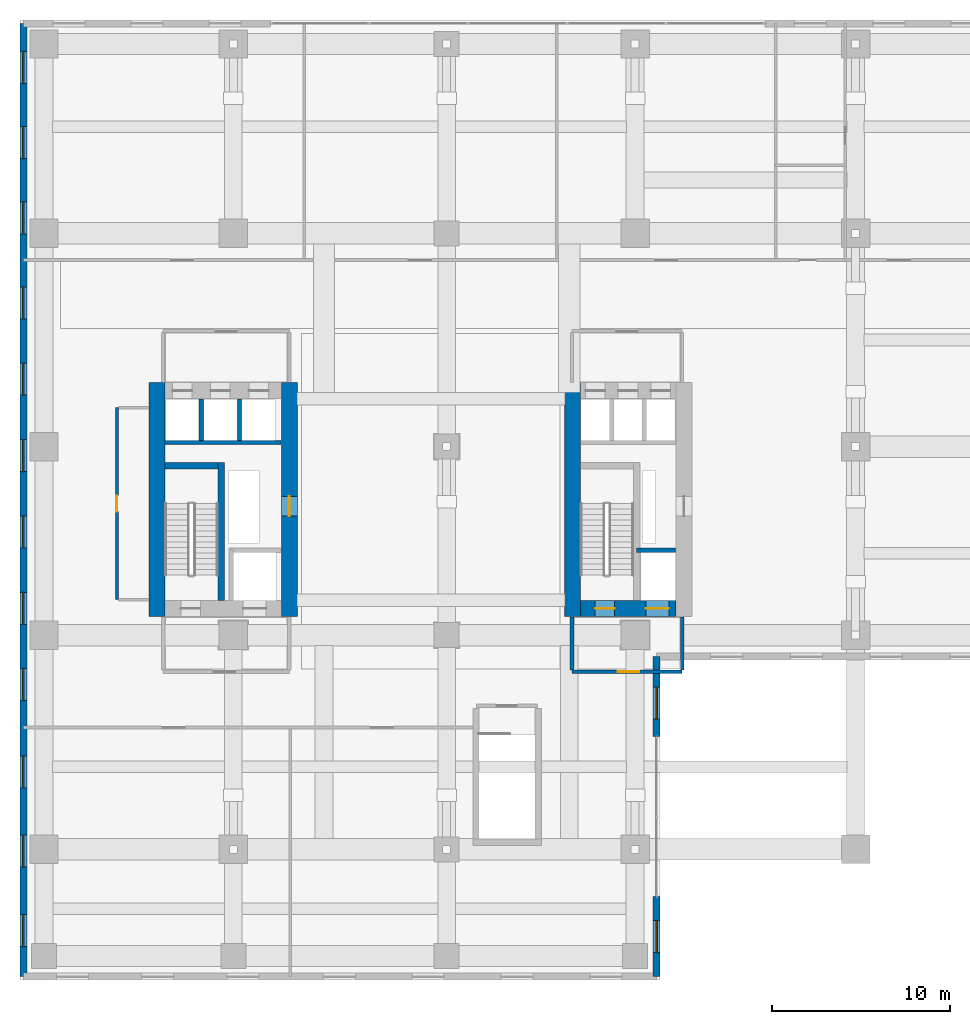
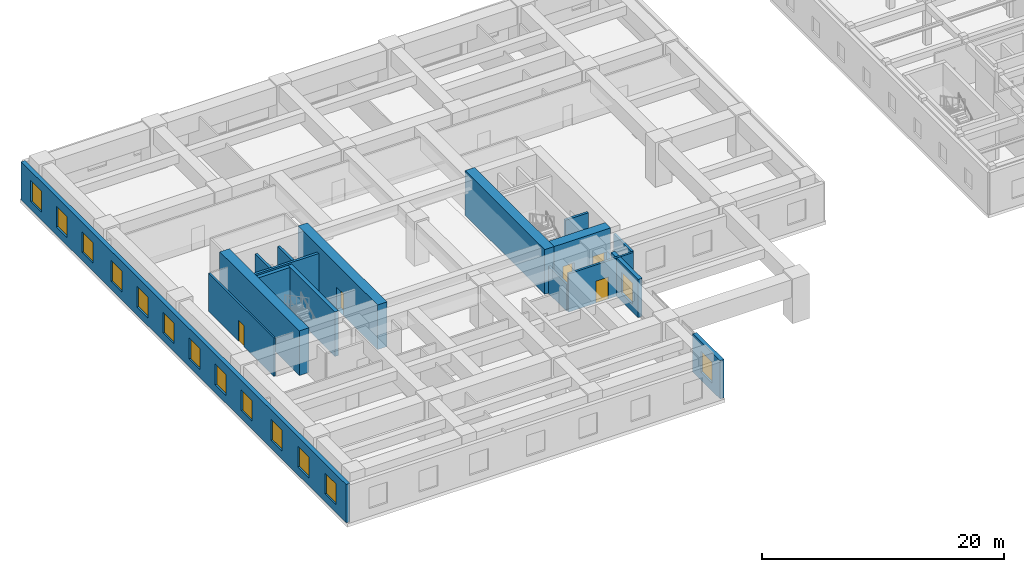
# One storey, part 25 of 33: 17 walls, 14 windows, 5 doors, 19 openings.
"""IFC4 building model written with IfcOpenShell, lengths in metres."""

from ifc_helpers import new_model, si_unit, direction, frame, frame_2d, origin, place, context, subcontext, project, spatial, rectangle, extrude, source, transform, mapped, material, layer, layer_set, type_object, element, fill, save


model = new_model("IFC4")

# Units and contexts
model_context = context("Model", 3, precision=1e-05, world=origin(), true_north=direction((0.0, 1.0)))
body_context = subcontext(model_context, "Body", "Model", "MODEL_VIEW")
ifc_project = project(units=[si_unit("LENGTHUNIT", "METRE"), si_unit("AREAUNIT", "SQUARE_METRE"), si_unit("VOLUMEUNIT", "CUBIC_METRE"), si_unit("PLANEANGLEUNIT", "RADIAN"), si_unit("MASSUNIT", "GRAM", prefix="KILO")], contexts=[model_context])

# Site, building, storey
site_placement = place(None, origin())
site = spatial("IfcSite", under=ifc_project, at=site_placement, CompositionType="ELEMENT")
building_placement = place(site_placement, origin())
building = spatial("IfcBuilding", under=site, at=building_placement, Name="Khoralis Quay Care Tower", CompositionType="ELEMENT")
storey_placement = place(building_placement, frame((0.0, 0.0, 18.0)))
storey = spatial("IfcBuildingStorey", under=building, at=storey_placement, Name="L04", CompositionType="ELEMENT", Elevation=18.0)

# Wall, opening, door
ifc_material_1 = material(Name="Gypsum plasterboard on acoustic metal stud")
ifc_layer_1 = layer(ifc_material_1, 0.199951171875)
ifc_layer_set_1 = layer_set([ifc_layer_1], Name="Gypsum plasterboard on acoustic metal stud")
wall_type_1 = type_object("IfcWallType", Name="WL-COMP-200", PredefinedType="PARTITIONING", material=ifc_layer_set_1)
wall_1_placement = place(storey_placement, frame((31.050048828125, 11.35009765625, 0.0), z_axis=(0.0, 0.0, 1.0), x_axis=(1.0, 0.0, 0.0)))
wall_1 = element("IfcWall", 1, at=wall_1_placement, inside=storey, type_object=wall_type_1, Name="L04 East Firefighting Lobby South Wall", PredefinedType="PARTITIONING", context=body_context, shape_type="SweptSolid", body=[
    extrude(rectangle(XDim=6.199951171875, YDim=0.199951171875, at=frame_2d((3.10009765625, 0.0))), origin(), (0.0, 0.0, 1.0), 3.85009765625),
])
opening_1_placement = place(wall_1_placement, frame((2.585693359375, 0.0, 0.0)))
opening_1 = element("IfcOpeningElement", 2, at=opening_1_placement, cuts=wall_1, Name="Opening FD1", PredefinedType="OPENING", context=body_context, shape_type="SweptSolid", body=[
    extrude(rectangle(XDim=1.199951171875, YDim=2.199951171875, at=frame_2d((0.60009765625, 1.10009765625))), frame((0.0, 0.10986328125, 0.0), z_axis=(0.0, -1.0, 0.0), x_axis=(1.0, 0.0, 0.0)), (0.0, 0.0, 1.0), 0.219970703125),
])
ifc_material_2 = material(Name="Fire-rated painted steel", Category="steel")
door_type_1 = type_object("IfcDoorType", Name="DR-FFL-1200X2200", OperationType="NOTDEFINED", PredefinedType="DOOR", material=ifc_material_2)
shared_shape_1 = source(origin(), body_context, "Body", "SweptSolid", [
    extrude(rectangle(XDim=1.199951171875, YDim=2.199951171875, at=frame_2d((0.60009765625, 1.10009765625))), frame((0.0, 0.02490234375, 0.0), z_axis=(0.0, -1.0, 0.0), x_axis=(1.0, 0.0, 0.0)), (0.0, 0.0, 1.0), 0.050048828125),
])
door_1_placement = place(opening_1_placement, origin())
door_1 = element("IfcDoor", 3, at=door_1_placement, inside=storey, type_object=door_type_1, Name="L04 East Firefighting Lobby Fire Door", OperationType="SINGLE_SWING_LEFT", OverallHeight=2.199951171875, OverallWidth=1.199951171875, PredefinedType="DOOR", context=body_context, shape_type="MappedRepresentation", body=[
    mapped(shared_shape_1, transform((0.0, 0.0, 0.0), scale=1.0)),
])
fill(opening_1, door_1)

# Walls
wall_2_placement = place(storey_placement, frame((31.050048828125, 11.445068359375, 0.0), z_axis=(0.0, 0.0, 1.0), x_axis=(0.0, 1.0, 0.0)))
element("IfcWall", 4, at=wall_2_placement, inside=storey, type_object=wall_type_1, Name="L04 East Firefighting Lobby West Wall", PredefinedType="PARTITIONING", context=body_context, shape_type="SweptSolid", body=[
    extrude(rectangle(XDim=2.98486328125, YDim=0.199951171875, at=frame_2d((1.492431640625, 0.0))), origin(), (0.0, 0.0, 1.0), 2.719970703125),
])
wall_3_placement = place(storey_placement, frame((37.25, 11.445068359375, 0.0), z_axis=(0.0, 0.0, 1.0), x_axis=(0.0, 1.0, 0.0)))
element("IfcWall", 5, at=wall_3_placement, inside=storey, type_object=wall_type_1, Name="L04 East Firefighting Lobby East Wall", PredefinedType="PARTITIONING", context=body_context, shape_type="SweptSolid", body=[
    extrude(rectangle(XDim=2.98486328125, YDim=0.199951171875, at=frame_2d((1.492431640625, 0.0))), origin(), (0.0, 0.0, 1.0), 3.85009765625),
])
ifc_material_3 = material(Name="Concrete C80/95", Category="concrete")
ifc_layer_2 = layer(ifc_material_3, 0.89990234375)
ifc_layer_set_2 = layer_set([ifc_layer_2], Name="Concrete C80/95")
wall_type_2 = type_object("IfcWallType", Name="WL-CORE-900", PredefinedType="SHEAR", material=ifc_layer_set_2)
wall_4_placement = place(storey_placement, frame((7.699951171875, 14.449951171875, 0.0), z_axis=(0.0, 0.0, 1.0), x_axis=(0.0, 1.0, 0.0)))
element("IfcWall", 6, at=wall_4_placement, inside=storey, type_object=wall_type_2, Name="L04 WCORE West Shear Wall", PredefinedType="SHEAR", context=body_context, shape_type="SweptSolid", body=[
    extrude(rectangle(XDim=13.150146484375, YDim=0.89990234375, at=frame_2d((6.5751953125, 0.0))), origin(), (0.0, 0.0, 1.0), 4.5),
])

# Wall, opening, door
wall_5_placement = place(storey_placement, frame((15.14990234375, 14.449951171875, 0.0), z_axis=(0.0, 0.0, 1.0), x_axis=(0.0, 1.0, 0.0)))
wall_5 = element("IfcWall", 7, at=wall_5_placement, inside=storey, type_object=wall_type_2, Name="L04 WCORE East Shear Wall", PredefinedType="SHEAR", context=body_context, shape_type="SweptSolid", body=[
    extrude(rectangle(XDim=13.150146484375, YDim=0.89990234375, at=frame_2d((6.5751953125, 0.0))), origin(), (0.0, 0.0, 1.0), 4.5),
])
opening_2_placement = place(wall_5_placement, frame((5.64990234375, 0.0, 0.0)))
opening_2 = element("IfcOpeningElement", 8, at=opening_2_placement, cuts=wall_5, Name="Opening SD1", PredefinedType="OPENING", context=body_context, shape_type="SweptSolid", body=[
    extrude(rectangle(XDim=1.10009765625, YDim=2.199951171875, at=frame_2d((0.550048828125, 1.10009765625))), frame((0.0, 0.4599609375, 0.0), z_axis=(0.0, -1.0, 0.0), x_axis=(1.0, 0.0, 0.0)), (0.0, 0.0, 1.0), 0.919921875),
])
door_type_2 = type_object("IfcDoorType", Name="DR-STAIR-1100X2200", OperationType="NOTDEFINED", PredefinedType="DOOR", material=ifc_material_2)
shared_shape_2 = source(origin(), body_context, "Body", "SweptSolid", [
    extrude(rectangle(XDim=1.10009765625, YDim=2.199951171875, at=frame_2d((0.550048828125, 1.10009765625))), frame((0.0, 0.02490234375, 0.0), z_axis=(0.0, -1.0, 0.0), x_axis=(1.0, 0.0, 0.0)), (0.0, 0.0, 1.0), 0.050048828125),
])
door_2_placement = place(opening_2_placement, origin())
door_2 = element("IfcDoor", 9, at=door_2_placement, inside=storey, type_object=door_type_2, Name="L04 West MEP Riser Door", OperationType="SINGLE_SWING_RIGHT", OverallHeight=2.199951171875, OverallWidth=1.10009765625, PredefinedType="DOOR", context=body_context, shape_type="MappedRepresentation", body=[
    mapped(shared_shape_2, transform((0.0, 0.0, 0.0), scale=1.0)),
])
fill(opening_2, door_2)

# Wall
wall_6_placement = place(storey_placement, frame((31.070068359375, 14.449951171875, 0.0), z_axis=(0.0, 0.0, 1.0), x_axis=(0.0, 1.0, 0.0)))
element("IfcWall", 10, at=wall_6_placement, inside=storey, type_object=wall_type_2, Name="L04 ECORE West Shear Wall", PredefinedType="SHEAR", context=body_context, shape_type="SweptSolid", body=[
    extrude(rectangle(XDim=13.150146484375, YDim=0.89990234375, at=frame_2d((6.5751953125, 0.0))), origin(), (0.0, 0.0, 1.0), 4.5),
])

# Wall, openings, doors
wall_7_placement = place(storey_placement, frame((31.52001953125, 14.89990234375, 0.0), z_axis=(0.0, 0.0, 1.0), x_axis=(1.0, 0.0, 0.0)))
wall_7 = element("IfcWall", 11, at=wall_7_placement, inside=storey, type_object=wall_type_2, Name="L04 ECORE South Shear Wall", PredefinedType="SHEAR", context=body_context, shape_type="SweptSolid", body=[
    extrude(rectangle(XDim=5.3798828125, YDim=0.89990234375, at=frame_2d((2.68994140625, 0.0))), origin(), (0.0, 0.0, 1.0), 4.5),
])
opening_3_placement = place(wall_7_placement, frame((0.830078125, 0.0, 0.0)))
opening_3 = element("IfcOpeningElement", 12, at=opening_3_placement, cuts=wall_7, Name="Opening SD1", PredefinedType="OPENING", context=body_context, shape_type="SweptSolid", body=[
    extrude(rectangle(XDim=1.10009765625, YDim=2.199951171875, at=frame_2d((0.550048828125, 1.10009765625))), frame((0.0, 0.4599609375, 0.0), z_axis=(0.0, -1.0, 0.0), x_axis=(1.0, 0.0, 0.0)), (0.0, 0.0, 1.0), 0.919921875),
])
opening_4_placement = place(wall_7_placement, frame((3.679931640625, 0.0, 0.0)))
opening_4 = element("IfcOpeningElement", 13, at=opening_4_placement, cuts=wall_7, Name="Opening LD2", PredefinedType="OPENING", context=body_context, shape_type="SweptSolid", body=[
    extrude(rectangle(XDim=1.300048828125, YDim=2.199951171875, at=frame_2d((0.64990234375, 1.10009765625))), frame((0.0, 0.4599609375, 0.0), z_axis=(0.0, -1.0, 0.0), x_axis=(1.0, 0.0, 0.0)), (0.0, 0.0, 1.0), 0.919921875),
])
door_3_placement = place(opening_3_placement, origin())
door_3 = element("IfcDoor", 14, at=door_3_placement, inside=storey, type_object=door_type_2, Name="L04 Stair ST-T2 Fire Door", OperationType="SINGLE_SWING_LEFT", OverallHeight=2.199951171875, OverallWidth=1.10009765625, PredefinedType="DOOR", context=body_context, shape_type="MappedRepresentation", body=[
    mapped(shared_shape_2, transform((0.0, 0.0, 0.0), scale=1.0)),
])
fill(opening_3, door_3)
ifc_material_4 = material(Name="Brushed stainless steel", Category="steel")
door_type_3 = type_object("IfcDoorType", Name="DR-LIFT-1300X2200", OperationType="SLIDING_TO_RIGHT", PredefinedType="DOOR", material=ifc_material_4)
shared_shape_3 = source(origin(), body_context, "Body", "SweptSolid", [
    extrude(rectangle(XDim=1.300048828125, YDim=2.199951171875, at=frame_2d((0.64990234375, 1.10009765625))), frame((0.0, 0.02490234375, 0.0), z_axis=(0.0, -1.0, 0.0), x_axis=(1.0, 0.0, 0.0)), (0.0, 0.0, 1.0), 0.050048828125),
])
door_4_placement = place(opening_4_placement, origin())
door_4 = element("IfcDoor", 15, at=door_4_placement, inside=storey, type_object=door_type_3, Name="L04 Firefighting Lift FFL-2 Landing Door", OperationType="SLIDING_TO_RIGHT", OverallHeight=2.199951171875, OverallWidth=1.300048828125, PredefinedType="DOOR", context=body_context, shape_type="MappedRepresentation", body=[
    mapped(shared_shape_3, transform((0.0, 0.0, 0.0), scale=1.0)),
])
fill(opening_4, door_4)

# Wall, opening, door
ifc_layer_3 = layer(ifc_material_1, 0.1650390625)
ifc_layer_set_3 = layer_set([ifc_layer_3], Name="Gypsum plasterboard on acoustic metal stud")
wall_type_3 = type_object("IfcWallType", Name="WL-CORR-165", PredefinedType="PARTITIONING", material=ifc_layer_set_3)
wall_8_placement = place(storey_placement, frame((5.449951171875, 15.39990234375, 0.0), z_axis=(0.0, 0.0, 1.0), x_axis=(0.0, 1.0, 0.0)))
wall_8 = element("IfcWall", 16, at=wall_8_placement, inside=storey, type_object=wall_type_3, Name="L04 West Core Service Flank Wall", PredefinedType="PARTITIONING", context=body_context, shape_type="SweptSolid", body=[
    extrude(rectangle(XDim=10.800048828125, YDim=0.1650390625, at=frame_2d((5.39990234375, 0.0))), origin(), (0.0, 0.0, 1.0), 3.85009765625),
])
opening_5_placement = place(wall_8_placement, frame((4.949951171875, 0.0, 0.0)))
opening_5 = element("IfcOpeningElement", 17, at=opening_5_placement, cuts=wall_8, Name="Opening WD1", PredefinedType="OPENING", context=body_context, shape_type="SweptSolid", body=[
    extrude(rectangle(XDim=0.89990234375, YDim=2.10009765625, at=frame_2d((0.449951171875, 1.050048828125))), frame((0.0, 0.092529296875, 0.0), z_axis=(0.0, -1.0, 0.0), x_axis=(1.0, 0.0, 0.0)), (0.0, 0.0, 1.0), 0.18505859375),
])
ifc_material_5 = material(Name="Acoustic hardwood timber", Category="wood")
door_type_4 = type_object("IfcDoorType", Name="DR-BATH-900X2100", OperationType="NOTDEFINED", PredefinedType="DOOR", material=ifc_material_5)
shared_shape_4 = source(origin(), body_context, "Body", "SweptSolid", [
    extrude(rectangle(XDim=0.89990234375, YDim=2.10009765625, at=frame_2d((0.449951171875, 1.050048828125))), frame((0.0, 0.02490234375, 0.0), z_axis=(0.0, -1.0, 0.0), x_axis=(1.0, 0.0, 0.0)), (0.0, 0.0, 1.0), 0.050048828125),
])
door_5_placement = place(opening_5_placement, frame((0.89990234375, 0.0, 0.0), z_axis=(0.0, 0.0, 1.0), x_axis=(-1.0, 0.0, 0.0)))
door_5 = element("IfcDoor", 18, at=door_5_placement, inside=storey, type_object=door_type_4, Name="L04 Housekeeping & Public Accessible WC Door", OperationType="SINGLE_SWING_LEFT", OverallHeight=2.10009765625, OverallWidth=0.89990234375, PredefinedType="DOOR", context=body_context, shape_type="MappedRepresentation", body=[
    mapped(shared_shape_4, transform((0.0, 0.0, 0.0), scale=1.0)),
])
fill(opening_5, door_5)

# Wall, opening, window
ifc_material_6 = material(Name="Precast concrete C45/55", Category="concrete")
ifc_layer_4 = layer(ifc_material_6, 0.3798828125)
ifc_layer_set_4 = layer_set([ifc_layer_4], Name="Precast concrete C45/55")
wall_type_4 = type_object("IfcWallType", Name="WL-EXT-POD-380", PredefinedType="SOLIDWALL", material=ifc_layer_set_4)
wall_9_placement = place(storey_placement, frame((35.81005859375, -5.81005859375, 0.0), z_axis=(0.0, 0.0, 1.0), x_axis=(0.0, 1.0, 0.0)))
wall_9 = element("IfcWall", 19, at=wall_9_placement, inside=storey, type_object=wall_type_4, Name="L04 External Facade Wall WL-POD-L04-E1A", PredefinedType="SOLIDWALL", context=body_context, shape_type="SweptSolid", body=[
    extrude(rectangle(XDim=4.5, YDim=0.3798828125, at=frame_2d((2.25, 0.0))), origin(), (0.0, 0.0, 1.0), 3.85009765625),
])
opening_6_placement = place(wall_9_placement, frame((1.35009765625, 0.0, 0.800048828125)))
opening_6 = element("IfcOpeningElement", 20, at=opening_6_placement, cuts=wall_9, Name="Opening W2", PredefinedType="OPENING", context=body_context, shape_type="SweptSolid", body=[
    extrude(rectangle(XDim=1.800048828125, YDim=2.10009765625, at=frame_2d((0.89990234375, 1.050048828125))), frame((0.0, 0.199951171875, 0.0), z_axis=(0.0, -1.0, 0.0), x_axis=(1.0, 0.0, 0.0)), (0.0, 0.0, 1.0), 0.39990234375),
])
ifc_material_7 = material(Name="Low-E solar-control double glazing", Category="glass")
window_type = type_object("IfcWindowType", Name="WN-POD-1800X2100", PartitioningType="SINGLE_PANEL", PredefinedType="WINDOW", material=ifc_material_7)
shared_shape_5 = source(origin(), body_context, "Body", "SweptSolid", [
    extrude(rectangle(XDim=1.800048828125, YDim=2.10009765625, at=frame_2d((0.89990234375, 1.050048828125))), frame((0.0, 0.030029296875, 0.0), z_axis=(0.0, -1.0, 0.0), x_axis=(1.0, 0.0, 0.0)), (0.0, 0.0, 1.0), 0.06005859375),
])
window_1_placement = place(opening_6_placement, origin())
window_1 = element("IfcWindow", 21, at=window_1_placement, inside=storey, type_object=window_type, Name="WN-POD-L04-1A Facade Window 01", OverallHeight=2.10009765625, OverallWidth=1.800048828125, PartitioningType="SINGLE_PANEL", PredefinedType="WINDOW", context=body_context, shape_type="MappedRepresentation", body=[
    mapped(shared_shape_5, transform((0.0, 0.0, 0.0), scale=1.0)),
])
fill(opening_6, window_1)

wall_10_placement = place(storey_placement, frame((35.81005859375, 7.68994140625, 0.0), z_axis=(0.0, 0.0, 1.0), x_axis=(0.0, 1.0, 0.0)))
wall_10 = element("IfcWall", 22, at=wall_10_placement, inside=storey, type_object=wall_type_4, Name="L04 External Facade Wall WL-POD-L04-E1B", PredefinedType="SOLIDWALL", context=body_context, shape_type="SweptSolid", body=[
    extrude(rectangle(XDim=4.5, YDim=0.3798828125, at=frame_2d((2.25, 0.0))), origin(), (0.0, 0.0, 1.0), 3.85009765625),
])
opening_7_placement = place(wall_10_placement, frame((0.97998046875, 0.0, 0.800048828125)))
opening_7 = element("IfcOpeningElement", 23, at=opening_7_placement, cuts=wall_10, Name="Opening W2", PredefinedType="OPENING", context=body_context, shape_type="SweptSolid", body=[
    extrude(rectangle(XDim=1.800048828125, YDim=2.10009765625, at=frame_2d((0.89990234375, 1.050048828125))), frame((0.0, 0.199951171875, 0.0), z_axis=(0.0, -1.0, 0.0), x_axis=(1.0, 0.0, 0.0)), (0.0, 0.0, 1.0), 0.39990234375),
])
window_2_placement = place(opening_7_placement, origin())
window_2 = element("IfcWindow", 24, at=window_2_placement, inside=storey, type_object=window_type, Name="WN-POD-L04-1B Facade Window 01", OverallHeight=2.10009765625, OverallWidth=1.800048828125, PartitioningType="SINGLE_PANEL", PredefinedType="WINDOW", context=body_context, shape_type="MappedRepresentation", body=[
    mapped(shared_shape_5, transform((0.0, 0.0, 0.0), scale=1.0)),
])
fill(opening_7, window_2)

# Wall, openings, windows
wall_11_placement = place(storey_placement, frame((0.18994140625, 47.81005859375, 0.0), z_axis=(0.0, 0.0, 1.0), x_axis=(0.0, -1.0, 0.0)))
wall_11 = element("IfcWall", 25, at=wall_11_placement, inside=storey, type_object=wall_type_4, Name="L04 External Facade Wall WL-POD-L04-E5", PredefinedType="SOLIDWALL", context=body_context, shape_type="SweptSolid", body=[
    extrude(rectangle(XDim=53.6201171875, YDim=0.3798828125, at=frame_2d((26.81005859375, 0.0))), origin(), (0.0, 0.0, 1.0), 3.85009765625),
])
opening_8_placement = place(wall_11_placement, frame((1.574951171875, 0.0, 0.800048828125)))
opening_8 = element("IfcOpeningElement", 26, at=opening_8_placement, cuts=wall_11, Name="Opening W2", PredefinedType="OPENING", context=body_context, shape_type="SweptSolid", body=[
    extrude(rectangle(XDim=1.800048828125, YDim=2.10009765625, at=frame_2d((0.89990234375, 1.050048828125))), frame((0.0, 0.199951171875, 0.0), z_axis=(0.0, -1.0, 0.0), x_axis=(1.0, 0.0, 0.0)), (0.0, 0.0, 1.0), 0.39990234375),
])
opening_9_placement = place(wall_11_placement, frame((5.804931640625, 0.0, 0.800048828125)))
opening_9 = element("IfcOpeningElement", 27, at=opening_9_placement, cuts=wall_11, Name="Opening W2", PredefinedType="OPENING", context=body_context, shape_type="SweptSolid", body=[
    extrude(rectangle(XDim=1.800048828125, YDim=2.10009765625, at=frame_2d((0.89990234375, 1.050048828125))), frame((0.0, 0.199951171875, 0.0), z_axis=(0.0, -1.0, 0.0), x_axis=(1.0, 0.0, 0.0)), (0.0, 0.0, 1.0), 0.39990234375),
])
opening_10_placement = place(wall_11_placement, frame((10.034912109375, 0.0, 0.800048828125)))
opening_10 = element("IfcOpeningElement", 28, at=opening_10_placement, cuts=wall_11, Name="Opening W2", PredefinedType="OPENING", context=body_context, shape_type="SweptSolid", body=[
    extrude(rectangle(XDim=1.800048828125, YDim=2.10009765625, at=frame_2d((0.89990234375, 1.050048828125))), frame((0.0, 0.199951171875, 0.0), z_axis=(0.0, -1.0, 0.0), x_axis=(1.0, 0.0, 0.0)), (0.0, 0.0, 1.0), 0.39990234375),
])
opening_11_placement = place(wall_11_placement, frame((14.818359375, 0.0, 0.800048828125)))
opening_11 = element("IfcOpeningElement", 29, at=opening_11_placement, cuts=wall_11, Name="Opening W2", PredefinedType="OPENING", context=body_context, shape_type="SweptSolid", body=[
    extrude(rectangle(XDim=1.800048828125, YDim=2.10009765625, at=frame_2d((0.89990234375, 1.050048828125))), frame((0.0, 0.199951171875, 0.0), z_axis=(0.0, -1.0, 0.0), x_axis=(1.0, 0.0, 0.0)), (0.0, 0.0, 1.0), 0.39990234375),
])
opening_12_placement = place(wall_11_placement, frame((19.114990234375, 0.0, 0.800048828125)))
opening_12 = element("IfcOpeningElement", 30, at=opening_12_placement, cuts=wall_11, Name="Opening W2", PredefinedType="OPENING", context=body_context, shape_type="SweptSolid", body=[
    extrude(rectangle(XDim=1.800048828125, YDim=2.10009765625, at=frame_2d((0.89990234375, 1.050048828125))), frame((0.0, 0.199951171875, 0.0), z_axis=(0.0, -1.0, 0.0), x_axis=(1.0, 0.0, 0.0)), (0.0, 0.0, 1.0), 0.39990234375),
])
opening_13_placement = place(wall_11_placement, frame((23.41162109375, 0.0, 0.800048828125)))
opening_13 = element("IfcOpeningElement", 31, at=opening_13_placement, cuts=wall_11, Name="Opening W2", PredefinedType="OPENING", context=body_context, shape_type="SweptSolid", body=[
    extrude(rectangle(XDim=1.800048828125, YDim=2.10009765625, at=frame_2d((0.89990234375, 1.050048828125))), frame((0.0, 0.199951171875, 0.0), z_axis=(0.0, -1.0, 0.0), x_axis=(1.0, 0.0, 0.0)), (0.0, 0.0, 1.0), 0.39990234375),
])
opening_14_placement = place(wall_11_placement, frame((27.708251953125, 0.0, 0.800048828125)))
opening_14 = element("IfcOpeningElement", 32, at=opening_14_placement, cuts=wall_11, Name="Opening W2", PredefinedType="OPENING", context=body_context, shape_type="SweptSolid", body=[
    extrude(rectangle(XDim=1.800048828125, YDim=2.10009765625, at=frame_2d((0.89990234375, 1.050048828125))), frame((0.0, 0.199951171875, 0.0), z_axis=(0.0, -1.0, 0.0), x_axis=(1.0, 0.0, 0.0)), (0.0, 0.0, 1.0), 0.39990234375),
])
opening_15_placement = place(wall_11_placement, frame((32.0048828125, 0.0, 0.800048828125)))
opening_15 = element("IfcOpeningElement", 33, at=opening_15_placement, cuts=wall_11, Name="Opening W2", PredefinedType="OPENING", context=body_context, shape_type="SweptSolid", body=[
    extrude(rectangle(XDim=1.800048828125, YDim=2.10009765625, at=frame_2d((0.89990234375, 1.050048828125))), frame((0.0, 0.199951171875, 0.0), z_axis=(0.0, -1.0, 0.0), x_axis=(1.0, 0.0, 0.0)), (0.0, 0.0, 1.0), 0.39990234375),
])
opening_16_placement = place(wall_11_placement, frame((36.3017578125, 0.0, 0.800048828125)))
opening_16 = element("IfcOpeningElement", 34, at=opening_16_placement, cuts=wall_11, Name="Opening W2", PredefinedType="OPENING", context=body_context, shape_type="SweptSolid", body=[
    extrude(rectangle(XDim=1.800048828125, YDim=2.10009765625, at=frame_2d((0.89990234375, 1.050048828125))), frame((0.0, 0.199951171875, 0.0), z_axis=(0.0, -1.0, 0.0), x_axis=(1.0, 0.0, 0.0)), (0.0, 0.0, 1.0), 0.39990234375),
])
opening_17_placement = place(wall_11_placement, frame((41.20166015625, 0.0, 0.800048828125)))
opening_17 = element("IfcOpeningElement", 35, at=opening_17_placement, cuts=wall_11, Name="Opening W2", PredefinedType="OPENING", context=body_context, shape_type="SweptSolid", body=[
    extrude(rectangle(XDim=1.800048828125, YDim=2.10009765625, at=frame_2d((0.89990234375, 1.050048828125))), frame((0.0, 0.199951171875, 0.0), z_axis=(0.0, -1.0, 0.0), x_axis=(1.0, 0.0, 0.0)), (0.0, 0.0, 1.0), 0.39990234375),
])
opening_18_placement = place(wall_11_placement, frame((45.6650390625, 0.0, 0.800048828125)))
opening_18 = element("IfcOpeningElement", 36, at=opening_18_placement, cuts=wall_11, Name="Opening W2", PredefinedType="OPENING", context=body_context, shape_type="SweptSolid", body=[
    extrude(rectangle(XDim=1.800048828125, YDim=2.10009765625, at=frame_2d((0.89990234375, 1.050048828125))), frame((0.0, 0.199951171875, 0.0), z_axis=(0.0, -1.0, 0.0), x_axis=(1.0, 0.0, 0.0)), (0.0, 0.0, 1.0), 0.39990234375),
])
opening_19_placement = place(wall_11_placement, frame((50.12841796875, 0.0, 0.800048828125)))
opening_19 = element("IfcOpeningElement", 37, at=opening_19_placement, cuts=wall_11, Name="Opening W2", PredefinedType="OPENING", context=body_context, shape_type="SweptSolid", body=[
    extrude(rectangle(XDim=1.800048828125, YDim=2.10009765625, at=frame_2d((0.89990234375, 1.050048828125))), frame((0.0, 0.199951171875, 0.0), z_axis=(0.0, -1.0, 0.0), x_axis=(1.0, 0.0, 0.0)), (0.0, 0.0, 1.0), 0.39990234375),
])
window_3_placement = place(opening_8_placement, origin())
window_3 = element("IfcWindow", 38, at=window_3_placement, inside=storey, type_object=window_type, Name="WN-POD-L04-E5 Facade Window 01", OverallHeight=2.10009765625, OverallWidth=1.800048828125, PartitioningType="SINGLE_PANEL", PredefinedType="WINDOW", context=body_context, shape_type="MappedRepresentation", body=[
    mapped(shared_shape_5, transform((0.0, 0.0, 0.0), scale=1.0)),
])
fill(opening_8, window_3)
window_4_placement = place(opening_9_placement, origin())
window_4 = element("IfcWindow", 39, at=window_4_placement, inside=storey, type_object=window_type, Name="WN-POD-L04-E5 Facade Window 02", OverallHeight=2.10009765625, OverallWidth=1.800048828125, PartitioningType="SINGLE_PANEL", PredefinedType="WINDOW", context=body_context, shape_type="MappedRepresentation", body=[
    mapped(shared_shape_5, transform((0.0, 0.0, 0.0), scale=1.0)),
])
fill(opening_9, window_4)
window_5_placement = place(opening_10_placement, origin())
window_5 = element("IfcWindow", 40, at=window_5_placement, inside=storey, type_object=window_type, Name="WN-POD-L04-E5 Facade Window 03", OverallHeight=2.10009765625, OverallWidth=1.800048828125, PartitioningType="SINGLE_PANEL", PredefinedType="WINDOW", context=body_context, shape_type="MappedRepresentation", body=[
    mapped(shared_shape_5, transform((0.0, 0.0, 0.0), scale=1.0)),
])
fill(opening_10, window_5)
window_6_placement = place(opening_11_placement, origin())
window_6 = element("IfcWindow", 41, at=window_6_placement, inside=storey, type_object=window_type, Name="WN-POD-L04-E5 Facade Window 04", OverallHeight=2.10009765625, OverallWidth=1.800048828125, PartitioningType="SINGLE_PANEL", PredefinedType="WINDOW", context=body_context, shape_type="MappedRepresentation", body=[
    mapped(shared_shape_5, transform((0.0, 0.0, 0.0), scale=1.0)),
])
fill(opening_11, window_6)
window_7_placement = place(opening_12_placement, origin())
window_7 = element("IfcWindow", 42, at=window_7_placement, inside=storey, type_object=window_type, Name="WN-POD-L04-E5 Facade Window 05", OverallHeight=2.10009765625, OverallWidth=1.800048828125, PartitioningType="SINGLE_PANEL", PredefinedType="WINDOW", context=body_context, shape_type="MappedRepresentation", body=[
    mapped(shared_shape_5, transform((0.0, 0.0, 0.0), scale=1.0)),
])
fill(opening_12, window_7)
window_8_placement = place(opening_13_placement, origin())
window_8 = element("IfcWindow", 43, at=window_8_placement, inside=storey, type_object=window_type, Name="WN-POD-L04-E5 Facade Window 06", OverallHeight=2.10009765625, OverallWidth=1.800048828125, PartitioningType="SINGLE_PANEL", PredefinedType="WINDOW", context=body_context, shape_type="MappedRepresentation", body=[
    mapped(shared_shape_5, transform((0.0, 0.0, 0.0), scale=1.0)),
])
fill(opening_13, window_8)
window_9_placement = place(opening_14_placement, origin())
window_9 = element("IfcWindow", 44, at=window_9_placement, inside=storey, type_object=window_type, Name="WN-POD-L04-E5 Facade Window 07", OverallHeight=2.10009765625, OverallWidth=1.800048828125, PartitioningType="SINGLE_PANEL", PredefinedType="WINDOW", context=body_context, shape_type="MappedRepresentation", body=[
    mapped(shared_shape_5, transform((0.0, 0.0, 0.0), scale=1.0)),
])
fill(opening_14, window_9)
window_10_placement = place(opening_15_placement, origin())
window_10 = element("IfcWindow", 45, at=window_10_placement, inside=storey, type_object=window_type, Name="WN-POD-L04-E5 Facade Window 08", OverallHeight=2.10009765625, OverallWidth=1.800048828125, PartitioningType="SINGLE_PANEL", PredefinedType="WINDOW", context=body_context, shape_type="MappedRepresentation", body=[
    mapped(shared_shape_5, transform((0.0, 0.0, 0.0), scale=1.0)),
])
fill(opening_15, window_10)
window_11_placement = place(opening_16_placement, origin())
window_11 = element("IfcWindow", 46, at=window_11_placement, inside=storey, type_object=window_type, Name="WN-POD-L04-E5 Facade Window 09", OverallHeight=2.10009765625, OverallWidth=1.800048828125, PartitioningType="SINGLE_PANEL", PredefinedType="WINDOW", context=body_context, shape_type="MappedRepresentation", body=[
    mapped(shared_shape_5, transform((0.0, 0.0, 0.0), scale=1.0)),
])
fill(opening_16, window_11)
window_12_placement = place(opening_17_placement, origin())
window_12 = element("IfcWindow", 47, at=window_12_placement, inside=storey, type_object=window_type, Name="WN-POD-L04-E5 Facade Window 10", OverallHeight=2.10009765625, OverallWidth=1.800048828125, PartitioningType="SINGLE_PANEL", PredefinedType="WINDOW", context=body_context, shape_type="MappedRepresentation", body=[
    mapped(shared_shape_5, transform((0.0, 0.0, 0.0), scale=1.0)),
])
fill(opening_17, window_12)
window_13_placement = place(opening_18_placement, origin())
window_13 = element("IfcWindow", 48, at=window_13_placement, inside=storey, type_object=window_type, Name="WN-POD-L04-E5 Facade Window 11", OverallHeight=2.10009765625, OverallWidth=1.800048828125, PartitioningType="SINGLE_PANEL", PredefinedType="WINDOW", context=body_context, shape_type="MappedRepresentation", body=[
    mapped(shared_shape_5, transform((0.0, 0.0, 0.0), scale=1.0)),
])
fill(opening_18, window_13)
window_14_placement = place(opening_19_placement, origin())
window_14 = element("IfcWindow", 49, at=window_14_placement, inside=storey, type_object=window_type, Name="WN-POD-L04-E5 Facade Window 12", OverallHeight=2.10009765625, OverallWidth=1.800048828125, PartitioningType="SINGLE_PANEL", PredefinedType="WINDOW", context=body_context, shape_type="MappedRepresentation", body=[
    mapped(shared_shape_5, transform((0.0, 0.0, 0.0), scale=1.0)),
])
fill(opening_19, window_14)

# Walls
ifc_material_8 = material(Name="Concrete C40/50", Category="concrete")
ifc_layer_5 = layer(ifc_material_8, 0.35009765625)
ifc_layer_set_5 = layer_set([ifc_layer_5], Name="Concrete C40/50")
wall_type_5 = type_object("IfcWallType", Name="WL-SC-CORE-350", PredefinedType="SHEAR", material=ifc_layer_set_5)
wall_12_placement = place(storey_placement, frame((11.324951171875, 15.35009765625, 0.0), z_axis=(0.0, 0.0, 1.0), x_axis=(0.0, 1.0, 0.0)))
element("IfcWall", 50, at=wall_12_placement, inside=storey, type_object=wall_type_5, Name="L04 Stair ST-T1 Shear Baffle Wall East", PredefinedType="SHEAR", context=body_context, shape_type="SweptSolid", body=[
    extrude(rectangle(XDim=7.75, YDim=0.35009765625, at=frame_2d((3.875, 0.0))), origin(), (0.0, 0.0, 1.0), 4.5),
])
wall_13_placement = place(storey_placement, frame((8.14990234375, 22.925048828125, 0.0), z_axis=(0.0, 0.0, 1.0), x_axis=(1.0, 0.0, 0.0)))
element("IfcWall", 51, at=wall_13_placement, inside=storey, type_object=wall_type_5, Name="L04 Stair ST-T1 Shear Baffle Wall North", PredefinedType="SHEAR", context=body_context, shape_type="SweptSolid", body=[
    extrude(rectangle(XDim=3.0, YDim=0.35009765625, at=frame_2d((1.5, 0.0))), origin(), (0.0, 0.0, 1.0), 4.5),
])
ifc_layer_6 = layer(ifc_material_1, 0.239990234375)
ifc_layer_set_6 = layer_set([ifc_layer_6], Name="Gypsum plasterboard on acoustic metal stud")
wall_type_6 = type_object("IfcWallType", Name="WL-SHAFT-240", PredefinedType="PARTITIONING", material=ifc_layer_set_6)
wall_14_placement = place(storey_placement, frame((34.679931640625, 18.169921875, 0.0), z_axis=(0.0, 0.0, 1.0), x_axis=(1.0, 0.0, 0.0)))
element("IfcWall", 52, at=wall_14_placement, inside=storey, type_object=wall_type_6, Name="L04 FFL-2 Shaft Wall North", PredefinedType="PARTITIONING", context=body_context, shape_type="SweptSolid", body=[
    extrude(rectangle(XDim=2.199951171875, YDim=0.239990234375, at=frame_2d((1.10009765625, 0.0))), origin(), (0.0, 0.0, 1.0), 3.85009765625),
])
wall_15_placement = place(storey_placement, frame((8.14990234375, 24.22998046875, 0.0), z_axis=(0.0, 0.0, 1.0), x_axis=(1.0, 0.0, 0.0)))
element("IfcWall", 53, at=wall_15_placement, inside=storey, type_object=wall_type_6, Name="L04 West Passenger Shaft South Wall", PredefinedType="PARTITIONING", context=body_context, shape_type="SweptSolid", body=[
    extrude(rectangle(XDim=6.530029296875, YDim=0.239990234375, at=frame_2d((3.26513671875, 0.0))), origin(), (0.0, 0.0, 1.0), 3.85009765625),
])
for number, where, z_axis, x_axis, name in (
    (54, (10.199951171875, 24.344970703125, 0.0), (0.0, 0.0, 1.0), (0.0, 1.0, 0.0), "L04 West Shaft Divider 1"),
    (55, (12.35009765625, 24.344970703125, 0.0), (0.0, 0.0, 1.0), (0.0, 1.0, 0.0), "L04 West Shaft Divider 2"),
):
    element("IfcWall", number, at=place(storey_placement, frame(where, z_axis=z_axis, x_axis=x_axis)), inside=storey, type_object=wall_type_6, Name=name, PredefinedType="PARTITIONING", context=body_context, shape_type="SweptSolid", body=[
        extrude(rectangle(XDim=2.3349609375, YDim=0.239990234375, at=frame_2d((1.16748046875, 0.0))), origin(), (0.0, 0.0, 1.0), 3.85009765625),
    ])

save(model, "model.ifc")
